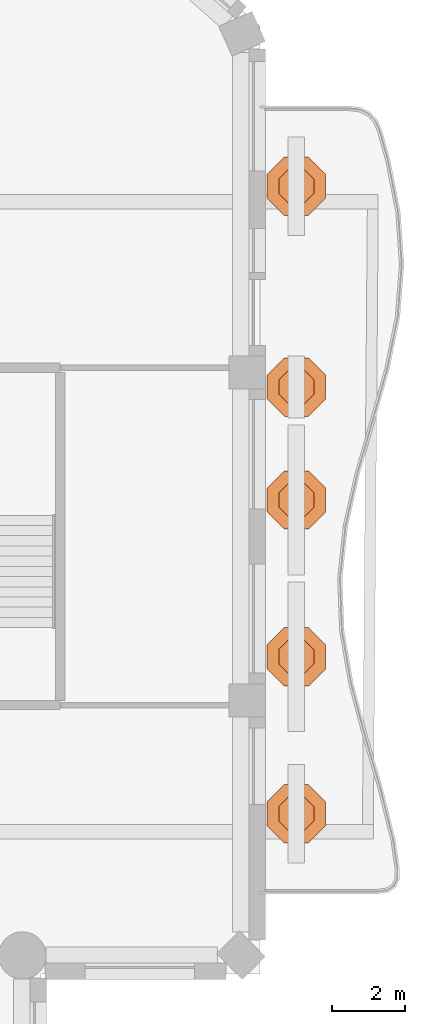
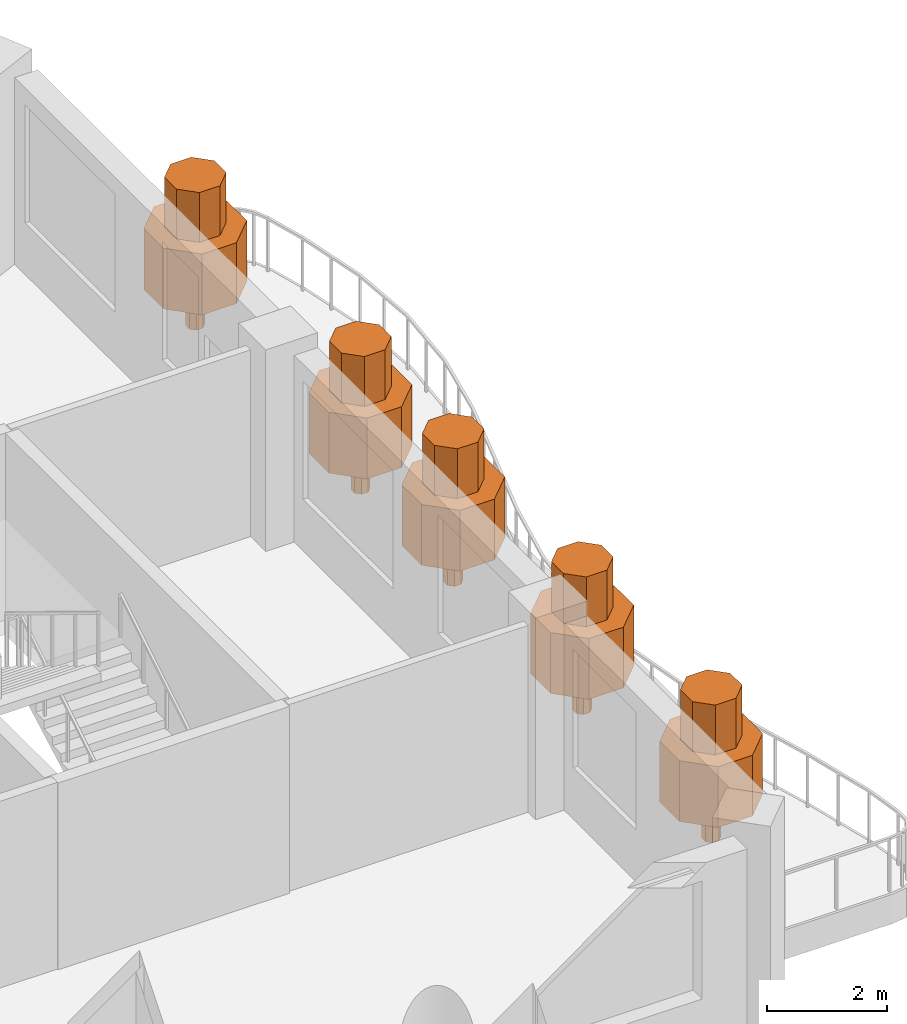
# One storey, part 14 of 14: 5 geographic elements.
"""IFC4 building model written with IfcOpenShell, lengths in metres."""

from ifc_helpers import new_model, si_unit, direction, frame, origin, place, context, subcontext, project, spatial, polyline, outline, extrude, material, type_object, element, save


model = new_model("IFC4")

# Units and contexts
model_context = context("Model", 3, precision=1e-05, world=origin(), true_north=direction((0.0, 1.0)))
body_context = subcontext(model_context, "Body", "Model", "MODEL_VIEW")
ifc_project = project(units=[si_unit("LENGTHUNIT", "METRE"), si_unit("AREAUNIT", "SQUARE_METRE"), si_unit("VOLUMEUNIT", "CUBIC_METRE"), si_unit("PLANEANGLEUNIT", "RADIAN"), si_unit("MASSUNIT", "GRAM", prefix="KILO")], contexts=[model_context])

# Site, building, storey
site_placement = place(None, origin())
site = spatial("IfcSite", under=ifc_project, at=site_placement, CompositionType="ELEMENT")
building_placement = place(site_placement, origin())
building = spatial("IfcBuilding", under=site, at=building_placement, Name="Cypress Arch Tower", CompositionType="ELEMENT")
storey_placement = place(building_placement, frame((0.0, 0.0, 247.5)))
storey = spatial("IfcBuildingStorey", under=building, at=storey_placement, Name="L55", CompositionType="ELEMENT", Elevation=247.5)

# Geographic elements
ifc_material = material(Name="Foliage and planting")
geographic_element_type = type_object("IfcGeographicElementType", Name="Balcony tree TR", PredefinedType="USERDEFINED", material=ifc_material)
for number, where, z_axis, x_axis, name in (
    (1, (25.60009765625, -7.60009765625, 0.60009765625), (0.0, 0.0, 1.0), (1.0, 0.0, 0.0), "Balcony tree L55-C17.1"),
    (2, (25.60009765625, -3.300048828125, 0.60009765625), (0.0, 0.0, 1.0), (1.0, 0.0, 0.0), "Balcony tree L55-C17.2"),
    (3, (25.60009765625, 1.0, 0.60009765625), (0.0, 0.0, 1.0), (1.0, 0.0, 0.0), "Balcony tree L55-C17.3"),
    (4, (25.60009765625, 4.095703125, 0.60009765625), (0.0, 0.0, 1.0), (1.0, 0.0, 0.0), "Balcony tree L55-C17.4"),
    (5, (25.60009765625, 9.60009765625, 0.60009765625), (0.0, 0.0, 1.0), (1.0, 0.0, 0.0), "Balcony tree L55-C17.5"),
):
    element("IfcGeographicElement", number, at=place(storey_placement, frame(where, z_axis=z_axis, x_axis=x_axis)), inside=storey, type_object=geographic_element_type, Name=name, ObjectType="TREE", PredefinedType="USERDEFINED", context=body_context, shape_type="SweptSolid", body=[
        extrude(outline(polyline([(0.14990234375, 0.06201171875), (0.06201171875, 0.14990234375), (-0.06201171875, 0.14990234375), (-0.14990234375, 0.06201171875), (-0.14990234375, -0.06201171875), (-0.06201171875, -0.14990234375), (0.06201171875, -0.14990234375), (0.14990234375, -0.06201171875), (0.14990234375, 0.06201171875)])), origin(), (0.0, 0.0, 1.0), 0.89990234375),
        extrude(outline(polyline([(0.800048828125, 0.331298828125), (0.331298828125, 0.800048828125), (-0.331298828125, 0.800048828125), (-0.800048828125, 0.331298828125), (-0.800048828125, -0.331298828125), (-0.331298828125, -0.800048828125), (0.331298828125, -0.800048828125), (0.800048828125, -0.331298828125), (0.800048828125, 0.331298828125)])), frame((0.0, 0.0, 0.800048828125)), (0.0, 0.0, 1.0), 1.237548828125),
        extrude(outline(polyline([(0.47998046875, 0.19873046875), (0.19873046875, 0.47998046875), (-0.19873046875, 0.47998046875), (-0.47998046875, 0.19873046875), (-0.47998046875, -0.19873046875), (-0.19873046875, -0.47998046875), (0.19873046875, -0.47998046875), (0.47998046875, -0.19873046875), (0.47998046875, 0.19873046875)])), frame((0.0, 0.0, 2.03759765625)), (0.0, 0.0, 1.0), 1.012451171875),
    ])

save(model, "model.ifc")
